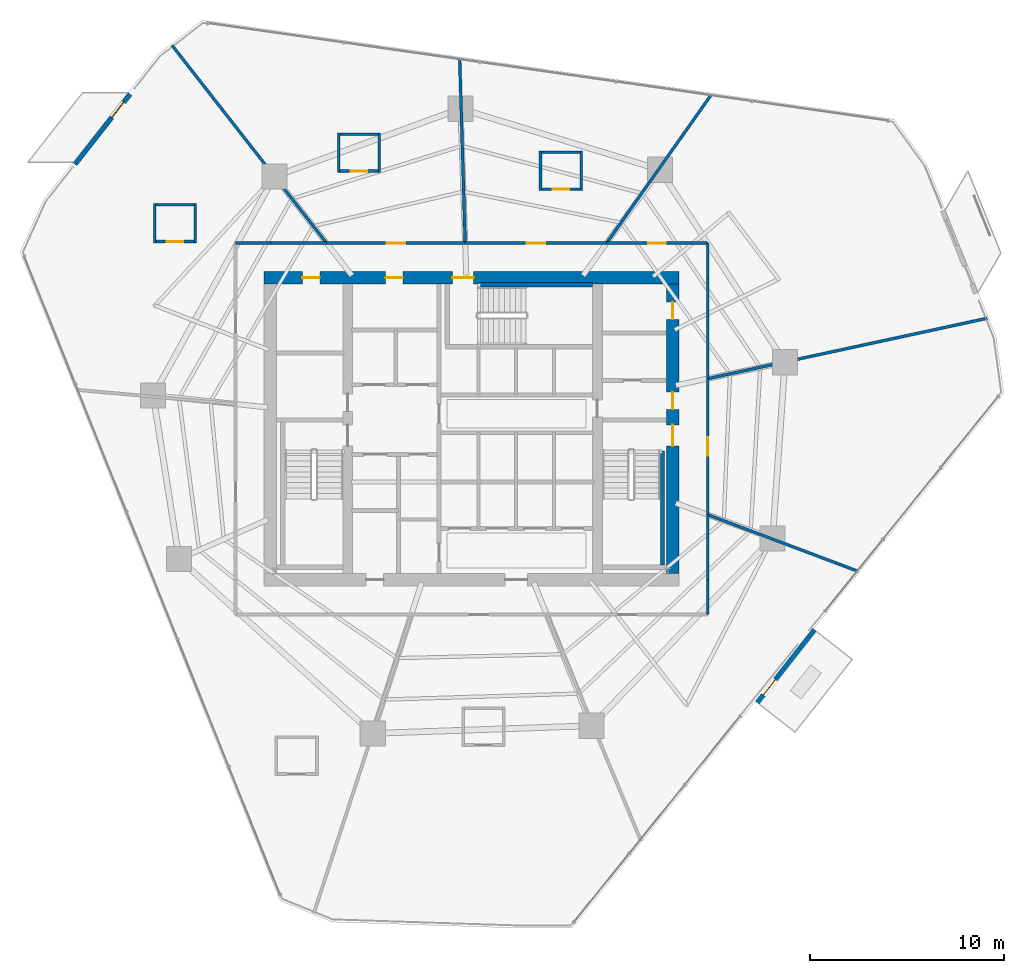
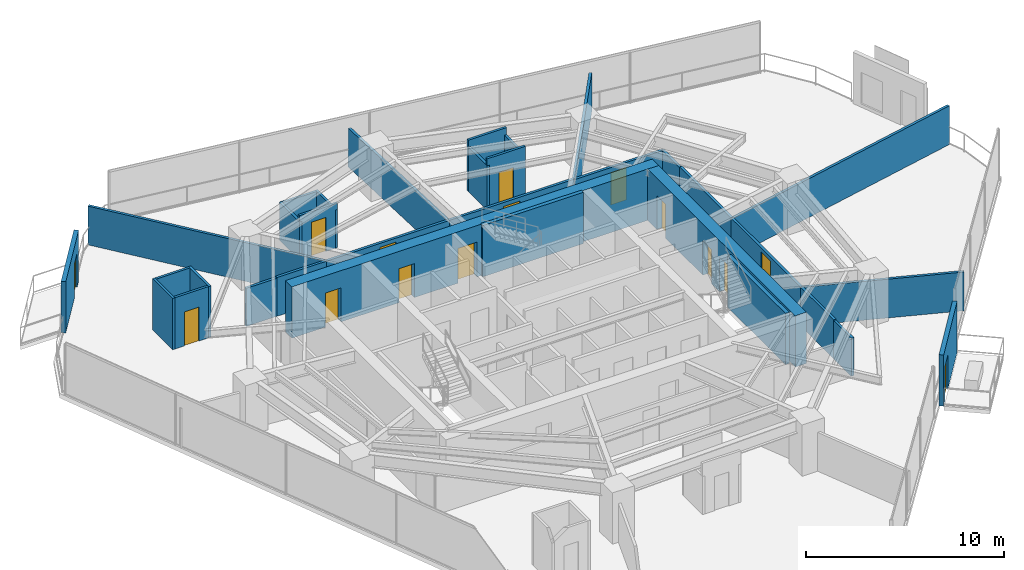
# One storey, part 27 of 32: 33 walls, 15 doors, 15 openings.
"""IFC4 building model written with IfcOpenShell, lengths in metres."""

from ifc_helpers import new_model, si_unit, direction, frame, frame_2d, origin, place, context, subcontext, project, spatial, rectangle, extrude, material, layer, layer_set, type_object, element, fill, save


model = new_model("IFC4")

# Units and contexts
model_context = context("Model", 3, precision=1e-05, world=origin(), true_north=direction((0.0, 1.0)))
body_context = subcontext(model_context, "Body", "Model", "MODEL_VIEW")
ifc_project = project(units=[si_unit("LENGTHUNIT", "METRE"), si_unit("AREAUNIT", "SQUARE_METRE"), si_unit("VOLUMEUNIT", "CUBIC_METRE"), si_unit("PLANEANGLEUNIT", "RADIAN"), si_unit("MASSUNIT", "GRAM", prefix="KILO")], contexts=[model_context])

# Site, building, storey
site_placement = place(None, origin())
site = spatial("IfcSite", under=ifc_project, at=site_placement, CompositionType="ELEMENT")
building_placement = place(site_placement, origin())
building = spatial("IfcBuilding", under=site, at=building_placement, Name="Qarnah Convention Tower", CompositionType="ELEMENT")
storey_placement = place(building_placement, frame((0.0, 0.0, 37.35009765625)))
storey = spatial("IfcBuildingStorey", under=building, at=storey_placement, Name="L08", CompositionType="ELEMENT", Elevation=37.35009765625)

# Wall, openings, doors
ifc_material_1 = material(Name="Concrete C60/75", Category="concrete")
ifc_layer_1 = layer(ifc_material_1, 0.64990234375)
ifc_layer_set_1 = layer_set([ifc_layer_1], Name="Concrete C60/75")
wall_type_1 = type_object("IfcWallType", Name="WL-CORE-650", PredefinedType="SHEAR", material=ifc_layer_set_1)
wall_1_placement = place(storey_placement, frame((26.47509765625, 34.199951171875, 0.0), z_axis=(0.0, 0.0, 1.0), x_axis=(1.0, 0.0, 0.0)))
wall_1 = element("IfcWall", 1, at=wall_1_placement, inside=storey, type_object=wall_type_1, Name="L08 core north shear wall", PredefinedType="SHEAR", context=body_context, shape_type="SweptSolid", body=[
    extrude(rectangle(XDim=21.449951171875, YDim=0.64990234375, at=frame_2d((10.72509765625, 0.0))), origin(), (0.0, 0.0, 1.0), 3.169921875),
])
opening_1_placement = place(wall_1_placement, frame((9.72509765625, 0.0, 0.0)))
opening_1 = element("IfcOpeningElement", 2, at=opening_1_placement, cuts=wall_1, Name="Opening D-0803", PredefinedType="OPENING", context=body_context, shape_type="SweptSolid", body=[
    extrude(rectangle(XDim=1.10009765625, YDim=2.14990234375, at=frame_2d((0.550048828125, 1.074951171875))), frame((0.0, 0.3349609375, 0.0), z_axis=(0.0, -1.0, 0.0), x_axis=(1.0, 0.0, 0.0)), (0.0, 0.0, 1.0), 0.669921875),
])
opening_2_placement = place(wall_1_placement, frame((1.97509765625, 0.0, 0.0)))
opening_2 = element("IfcOpeningElement", 3, at=opening_2_placement, cuts=wall_1, Name="Opening D-0809", PredefinedType="OPENING", context=body_context, shape_type="SweptSolid", body=[
    extrude(rectangle(XDim=0.89990234375, YDim=2.10009765625, at=frame_2d((0.449951171875, 1.050048828125))), frame((0.0, 0.3349609375, 0.0), z_axis=(0.0, -1.0, 0.0), x_axis=(1.0, 0.0, 0.0)), (0.0, 0.0, 1.0), 0.669921875),
])
opening_3_placement = place(wall_1_placement, frame((6.27490234375, 0.0, 0.0)))
opening_3 = element("IfcOpeningElement", 4, at=opening_3_placement, cuts=wall_1, Name="Opening D-0810", PredefinedType="OPENING", context=body_context, shape_type="SweptSolid", body=[
    extrude(rectangle(XDim=0.89990234375, YDim=2.10009765625, at=frame_2d((0.449951171875, 1.050048828125))), frame((0.0, 0.3349609375, 0.0), z_axis=(0.0, -1.0, 0.0), x_axis=(1.0, 0.0, 0.0)), (0.0, 0.0, 1.0), 0.669921875),
])
ifc_material_2 = material(Name="Structural steel S355JR", Category="steel")
door_type_1 = type_object("IfcDoorType", Name="DT-RISER-900", OperationType="NOTDEFINED", PredefinedType="DOOR", material=ifc_material_2)
door_1_placement = place(opening_2_placement, origin())
door_1 = element("IfcDoor", 5, at=door_1_placement, inside=storey, type_object=door_type_1, Name="Door D-0809", OperationType="SINGLE_SWING_LEFT", OverallHeight=2.10009765625, OverallWidth=0.89990234375, PredefinedType="DOOR", context=body_context, shape_type="SweptSolid", body=[
    extrude(rectangle(XDim=0.89990234375, YDim=2.10009765625, at=frame_2d((0.449951171875, 1.050048828125))), frame((0.0, 0.02490234375, 0.0), z_axis=(0.0, -1.0, 0.0), x_axis=(1.0, 0.0, 0.0)), (0.0, 0.0, 1.0), 0.050048828125),
])
fill(opening_2, door_1)
door_2_placement = place(opening_3_placement, origin())
door_2 = element("IfcDoor", 6, at=door_2_placement, inside=storey, type_object=door_type_1, Name="Door D-0810", OperationType="SINGLE_SWING_RIGHT", OverallHeight=2.10009765625, OverallWidth=0.89990234375, PredefinedType="DOOR", context=body_context, shape_type="SweptSolid", body=[
    extrude(rectangle(XDim=0.89990234375, YDim=2.10009765625, at=frame_2d((0.449951171875, 1.050048828125))), frame((0.0, 0.02490234375, 0.0), z_axis=(0.0, -1.0, 0.0), x_axis=(1.0, 0.0, 0.0)), (0.0, 0.0, 1.0), 0.050048828125),
])
fill(opening_3, door_2)
door_type_2 = type_object("IfcDoorType", Name="DT-STAIR-1100", OperationType="NOTDEFINED", PredefinedType="DOOR", material=ifc_material_2)
door_3_placement = place(opening_1_placement, origin())
door_3 = element("IfcDoor", 7, at=door_3_placement, inside=storey, type_object=door_type_2, Name="Door D-0803", OperationType="SINGLE_SWING_LEFT", OverallHeight=2.14990234375, OverallWidth=1.10009765625, PredefinedType="DOOR", context=body_context, shape_type="SweptSolid", body=[
    extrude(rectangle(XDim=1.10009765625, YDim=2.14990234375, at=frame_2d((0.550048828125, 1.074951171875))), frame((0.0, 0.02490234375, 0.0), z_axis=(0.0, -1.0, 0.0), x_axis=(1.0, 0.0, 0.0)), (0.0, 0.0, 1.0), 0.050048828125),
])
fill(opening_1, door_3)

wall_2_placement = place(storey_placement, frame((47.60009765625, 18.925048828125, 0.0), z_axis=(0.0, 0.0, 1.0), x_axis=(0.0, 1.0, 0.0)))
wall_2 = element("IfcWall", 8, at=wall_2_placement, inside=storey, type_object=wall_type_1, Name="L08 core east shear wall", PredefinedType="SHEAR", context=body_context, shape_type="SweptSolid", body=[
    extrude(rectangle(XDim=14.949951171875, YDim=0.64990234375, at=frame_2d((7.47509765625, 0.0))), origin(), (0.0, 0.0, 1.0), 3.169921875),
])
opening_4_placement = place(wall_2_placement, frame((6.574951171875, 0.0, 0.0)))
opening_4 = element("IfcOpeningElement", 9, at=opening_4_placement, cuts=wall_2, Name="Opening D-0802", PredefinedType="OPENING", context=body_context, shape_type="SweptSolid", body=[
    extrude(rectangle(XDim=1.10009765625, YDim=2.14990234375, at=frame_2d((0.550048828125, 1.074951171875))), frame((0.0, 0.3349609375, 0.0), z_axis=(0.0, -1.0, 0.0), x_axis=(1.0, 0.0, 0.0)), (0.0, 0.0, 1.0), 0.669921875),
])
opening_5_placement = place(wall_2_placement, frame((8.47509765625, 0.0, 0.0)))
opening_5 = element("IfcOpeningElement", 10, at=opening_5_placement, cuts=wall_2, Name="Opening D-0806", PredefinedType="OPENING", context=body_context, shape_type="SweptSolid", body=[
    extrude(rectangle(XDim=0.89990234375, YDim=2.10009765625, at=frame_2d((0.449951171875, 1.050048828125))), frame((0.0, 0.3349609375, 0.0), z_axis=(0.0, -1.0, 0.0), x_axis=(1.0, 0.0, 0.0)), (0.0, 0.0, 1.0), 0.669921875),
])
opening_6_placement = place(wall_2_placement, frame((13.125, 0.0, 0.0)))
opening_6 = element("IfcOpeningElement", 11, at=opening_6_placement, cuts=wall_2, Name="Opening D-0812", PredefinedType="OPENING", context=body_context, shape_type="SweptSolid", body=[
    extrude(rectangle(XDim=0.89990234375, YDim=2.10009765625, at=frame_2d((0.449951171875, 1.050048828125))), frame((0.0, 0.3349609375, 0.0), z_axis=(0.0, -1.0, 0.0), x_axis=(1.0, 0.0, 0.0)), (0.0, 0.0, 1.0), 0.669921875),
])
door_4_placement = place(opening_5_placement, origin())
door_4 = element("IfcDoor", 12, at=door_4_placement, inside=storey, type_object=door_type_1, Name="Door D-0806", OperationType="SINGLE_SWING_RIGHT", OverallHeight=2.10009765625, OverallWidth=0.89990234375, PredefinedType="DOOR", context=body_context, shape_type="SweptSolid", body=[
    extrude(rectangle(XDim=0.89990234375, YDim=2.10009765625, at=frame_2d((0.449951171875, 1.050048828125))), frame((0.0, 0.02490234375, 0.0), z_axis=(0.0, -1.0, 0.0), x_axis=(1.0, 0.0, 0.0)), (0.0, 0.0, 1.0), 0.050048828125),
])
fill(opening_5, door_4)
door_5_placement = place(opening_6_placement, origin())
door_5 = element("IfcDoor", 13, at=door_5_placement, inside=storey, type_object=door_type_1, Name="Door D-0812", OperationType="SINGLE_SWING_RIGHT", OverallHeight=2.10009765625, OverallWidth=0.89990234375, PredefinedType="DOOR", context=body_context, shape_type="SweptSolid", body=[
    extrude(rectangle(XDim=0.89990234375, YDim=2.10009765625, at=frame_2d((0.449951171875, 1.050048828125))), frame((0.0, 0.02490234375, 0.0), z_axis=(0.0, -1.0, 0.0), x_axis=(1.0, 0.0, 0.0)), (0.0, 0.0, 1.0), 0.050048828125),
])
fill(opening_6, door_5)
door_6_placement = place(opening_4_placement, origin())
door_6 = element("IfcDoor", 14, at=door_6_placement, inside=storey, type_object=door_type_2, Name="Door D-0802", OperationType="SINGLE_SWING_RIGHT", OverallHeight=2.14990234375, OverallWidth=1.10009765625, PredefinedType="DOOR", context=body_context, shape_type="SweptSolid", body=[
    extrude(rectangle(XDim=1.10009765625, YDim=2.14990234375, at=frame_2d((0.550048828125, 1.074951171875))), frame((0.0, 0.02490234375, 0.0), z_axis=(0.0, -1.0, 0.0), x_axis=(1.0, 0.0, 0.0)), (0.0, 0.0, 1.0), 0.050048828125),
])
fill(opening_4, door_6)

# Walls
ifc_layer_2 = layer(ifc_material_1, 0.219970703125)
ifc_layer_set_2 = layer_set([ifc_layer_2], Name="Concrete C60/75")
wall_type_2 = type_object("IfcWallType", Name="WL-CORE-STAIR-220", PredefinedType="SHEAR", material=ifc_layer_set_2)
for number, where, z_axis, x_axis, name in (
    (15, (47.06005859375, 19.35009765625, 0.0), (0.0, 0.0, 1.0), (0.0, 1.0, 0.0), "L08 stair shaft shear wall SW-L08-ST2E"),
    (16, (37.550048828125, 33.840087890625, 0.0), (0.0, 0.0, 1.0), (1.0, 0.0, 0.0), "L08 stair shaft shear wall SW-L08-ST3N"),
):
    element("IfcWall", number, at=place(storey_placement, frame(where, z_axis=z_axis, x_axis=x_axis)), inside=storey, type_object=wall_type_2, Name=name, PredefinedType="SHEAR", context=body_context, shape_type="SweptSolid", body=[
        extrude(rectangle(XDim=5.89990234375, YDim=0.219970703125, at=frame_2d((2.949951171875, 0.0))), origin(), (0.0, 0.0, 1.0), 3.169921875),
    ])

# Wall, opening, door
ifc_material_3 = material(Name="Precast concrete C45/55", Category="concrete")
ifc_layer_3 = layer(ifc_material_3, 0.239990234375)
ifc_layer_set_3 = layer_set([ifc_layer_3], Name="Precast concrete C45/55")
wall_type_3 = type_object("IfcWallType", Name="WL-EXT-BAL-240", PredefinedType="SOLIDWALL", material=ifc_layer_set_3)
wall_3_placement = place(storey_placement, frame((16.705078125, 40.072021484375, 0.0), z_axis=(0.0, 0.0, 1.0), x_axis=(0.617842647649, 0.786301763158, 0.0)))
wall_3 = element("IfcWall", 17, at=wall_3_placement, inside=storey, type_object=wall_type_3, Name="L08 loggia threshold wall BAL-L08-C2", PredefinedType="SOLIDWALL", context=body_context, shape_type="SweptSolid", body=[
    extrude(rectangle(XDim=4.599853515625, YDim=0.239990234375, at=frame_2d((2.2998046875, 0.0))), origin(), (0.0, 0.0, 1.0), 3.169921875),
])
opening_7_placement = place(wall_3_placement, frame((3.080078125, 0.0, 0.0)))
opening_7 = element("IfcOpeningElement", 18, at=opening_7_placement, cuts=wall_3, Name="Opening BD-0802", PredefinedType="OPENING", context=body_context, shape_type="SweptSolid", body=[
    extrude(rectangle(XDim=1.0, YDim=2.14990234375, at=frame_2d((0.5, 1.074951171875))), frame((0.0, 0.1298828125, 0.0), z_axis=(0.0, -1.0, 0.0), x_axis=(1.0, 0.0, 0.0)), (0.0, 0.0, 1.0), 0.260009765625),
])
ifc_material_4 = material(Name="Black anodised aluminium", Category="aluminium")
door_type_3 = type_object("IfcDoorType", Name="DT-BAL-1000", OperationType="NOTDEFINED", PredefinedType="DOOR", material=ifc_material_4)
door_7_placement = place(opening_7_placement, origin())
door_7 = element("IfcDoor", 19, at=door_7_placement, inside=storey, type_object=door_type_3, Name="L08 balcony terrace door BAL-L08-C2", OperationType="SINGLE_SWING_LEFT", OverallHeight=2.14990234375, OverallWidth=1.0, PredefinedType="DOOR", context=body_context, shape_type="SweptSolid", body=[
    extrude(rectangle(XDim=1.0, YDim=2.14990234375, at=frame_2d((0.5, 1.074951171875))), frame((0.0, 0.02490234375, 0.0), z_axis=(0.0, -1.0, 0.0), x_axis=(1.0, 0.0, 0.0)), (0.0, 0.0, 1.0), 0.050048828125),
])
fill(opening_7, door_7)

wall_4_placement = place(storey_placement, frame((54.922119140625, 16.01904296875, 0.0), z_axis=(0.0, 0.0, 1.0), x_axis=(-0.617803579139, -0.78633245997, 0.0)))
wall_4 = element("IfcWall", 20, at=wall_4_placement, inside=storey, type_object=wall_type_3, Name="L08 loggia threshold wall VN-L08", PredefinedType="SOLIDWALL", context=body_context, shape_type="SweptSolid", body=[
    extrude(rectangle(XDim=4.79931640625, YDim=0.239990234375, at=frame_2d((2.399658203125, 0.0))), origin(), (0.0, 0.0, 1.0), 3.169921875),
])
opening_8_placement = place(wall_4_placement, frame((3.279052734375, 0.0, 0.0)))
opening_8 = element("IfcOpeningElement", 21, at=opening_8_placement, cuts=wall_4, Name="Opening BD-0803", PredefinedType="OPENING", context=body_context, shape_type="SweptSolid", body=[
    extrude(rectangle(XDim=1.0, YDim=2.14990234375, at=frame_2d((0.5, 1.074951171875))), frame((0.0, 0.1298828125, 0.0), z_axis=(0.0, -1.0, 0.0), x_axis=(1.0, 0.0, 0.0)), (0.0, 0.0, 1.0), 0.260009765625),
])
door_8_placement = place(opening_8_placement, origin())
door_8 = element("IfcDoor", 22, at=door_8_placement, inside=storey, type_object=door_type_3, Name="L08 balcony terrace door VN-L08", OperationType="SINGLE_SWING_RIGHT", OverallHeight=2.14990234375, OverallWidth=1.0, PredefinedType="DOOR", context=body_context, shape_type="SweptSolid", body=[
    extrude(rectangle(XDim=1.0, YDim=2.14990234375, at=frame_2d((0.5, 1.074951171875))), frame((0.0, 0.02490234375, 0.0), z_axis=(0.0, -1.0, 0.0), x_axis=(1.0, 0.0, 0.0)), (0.0, 0.0, 1.0), 0.050048828125),
])
fill(opening_8, door_8)

# Wall
ifc_material_5 = material(Name="Gypsum partition board")
ifc_layer_4 = layer(ifc_material_5, 0.14990234375)
ifc_layer_set_4 = layer_set([ifc_layer_4], Name="Gypsum partition board")
wall_type_4 = type_object("IfcWallType", Name="WL-SUITE-150", PredefinedType="PARTITIONING", material=ifc_layer_set_4)
wall_5_placement = place(storey_placement, frame((49.593994140625, 43.680908203125, 0.0), z_axis=(0.0, 0.0, 1.0), x_axis=(-0.576479240775, -0.817111794649, 0.0)))
element("IfcWall", 23, at=wall_5_placement, inside=storey, type_object=wall_type_4, Name="L08 interior wall IW-L08-R-21", PredefinedType="PARTITIONING", context=body_context, shape_type="SweptSolid", body=[
    extrude(rectangle(XDim=9.400146484375, YDim=0.14990234375, at=frame_2d((4.7001953125, 0.0))), origin(), (0.0, 0.0, 1.0), 2.39501953125),
])

# Wall, opening, door
wall_6_placement = place(storey_placement, frame((44.175048828125, 36.0, 0.0), z_axis=(0.0, 0.0, 1.0), x_axis=(1.0, 0.0, 0.0)))
wall_6 = element("IfcWall", 24, at=wall_6_placement, inside=storey, type_object=wall_type_4, Name="L08 interior wall IW-L08-R-22", PredefinedType="PARTITIONING", context=body_context, shape_type="SweptSolid", body=[
    extrude(rectangle(XDim=5.224853515625, YDim=0.14990234375, at=frame_2d((2.6123046875, 0.0))), origin(), (0.0, 0.0, 1.0), 2.35498046875),
])
opening_9_placement = place(wall_6_placement, frame((2.1630859375, 0.0, 0.0)))
opening_9 = element("IfcOpeningElement", 25, at=opening_9_placement, cuts=wall_6, Name="Opening D-0816", PredefinedType="OPENING", context=body_context, shape_type="SweptSolid", body=[
    extrude(rectangle(XDim=0.89990234375, YDim=2.0, at=frame_2d((0.449951171875, 1.0))), frame((0.0, 0.0849609375, 0.0), z_axis=(0.0, -1.0, 0.0), x_axis=(1.0, 0.0, 0.0)), (0.0, 0.0, 1.0), 0.169921875),
])
door_type_4 = type_object("IfcDoorType", Name="DT-PLANT-900", OperationType="NOTDEFINED", PredefinedType="DOOR", material=ifc_material_2)
door_9_placement = place(opening_9_placement, origin())
door_9 = element("IfcDoor", 26, at=door_9_placement, inside=storey, type_object=door_type_4, Name="Door D-0816", OperationType="SINGLE_SWING_RIGHT", OverallHeight=2.0, OverallWidth=0.89990234375, PredefinedType="DOOR", context=body_context, shape_type="SweptSolid", body=[
    extrude(rectangle(XDim=0.89990234375, YDim=2.0, at=frame_2d((0.449951171875, 1.0))), frame((0.0, 0.02490234375, 0.0), z_axis=(0.0, -1.0, 0.0), x_axis=(1.0, 0.0, 0.0)), (0.0, 0.0, 1.0), 0.050048828125),
])
fill(opening_9, door_9)

# Walls
wall_7_placement = place(storey_placement, frame((49.39990234375, 36.0, 0.0), z_axis=(0.0, 0.0, 1.0), x_axis=(0.0, -1.0, 0.0)))
element("IfcWall", 27, at=wall_7_placement, inside=storey, type_object=wall_type_4, Name="L08 interior wall IW-L08-R-23", PredefinedType="PARTITIONING", context=body_context, shape_type="SweptSolid", body=[
    extrude(rectangle(XDim=1.800048828125, YDim=0.14990234375, at=frame_2d((0.89990234375, 0.0))), origin(), (0.0, 0.0, 1.0), 2.35498046875),
])
wall_8_placement = place(storey_placement, frame((49.39990234375, 34.199951171875, 0.0), z_axis=(0.0, 0.0, 1.0), x_axis=(0.0, -1.0, 0.0)))
element("IfcWall", 28, at=wall_8_placement, inside=storey, type_object=wall_type_4, Name="L08 interior wall IW-L08-R-24", PredefinedType="PARTITIONING", context=body_context, shape_type="SweptSolid", body=[
    extrude(rectangle(XDim=5.20703125, YDim=0.14990234375, at=frame_2d((2.603515625, 0.0))), origin(), (0.0, 0.0, 1.0), 2.39501953125),
])
wall_9_placement = place(storey_placement, frame((49.39990234375, 28.992919921875, 0.0), z_axis=(0.0, 0.0, 1.0), x_axis=(0.977465823559, 0.211093732201, 0.0)))
element("IfcWall", 29, at=wall_9_placement, inside=storey, type_object=wall_type_4, Name="L08 interior wall IW-L08-R-25", PredefinedType="PARTITIONING", context=body_context, shape_type="SweptSolid", body=[
    extrude(rectangle(XDim=14.766845703125, YDim=0.14990234375, at=frame_2d((7.38330078125, 0.0))), origin(), (0.0, 0.0, 1.0), 2.39501953125),
])
wall_10_placement = place(storey_placement, frame((36.5810546875, 45.5390625, 0.0), z_axis=(0.0, 0.0, 1.0), x_axis=(0.029752383797, -0.999557299837, 0.0)))
element("IfcWall", 30, at=wall_10_placement, inside=storey, type_object=wall_type_4, Name="L08 interior wall IW-L08-R-26", PredefinedType="PARTITIONING", context=body_context, shape_type="SweptSolid", body=[
    extrude(rectangle(XDim=9.543212890625, YDim=0.14990234375, at=frame_2d((4.771484375, 0.0))), origin(), (0.0, 0.0, 1.0), 2.39501953125),
])

# Wall, opening, door
wall_11_placement = place(storey_placement, frame((36.864990234375, 36.0, 0.0), z_axis=(0.0, 0.0, 1.0), x_axis=(1.0, 0.0, 0.0)))
wall_11 = element("IfcWall", 31, at=wall_11_placement, inside=storey, type_object=wall_type_4, Name="L08 interior wall IW-L08-R-27", PredefinedType="PARTITIONING", context=body_context, shape_type="SweptSolid", body=[
    extrude(rectangle(XDim=7.31005859375, YDim=0.14990234375, at=frame_2d((3.655029296875, 0.0))), origin(), (0.0, 0.0, 1.0), 2.39501953125),
])
opening_10_placement = place(wall_11_placement, frame((3.179931640625, 0.0, 0.0)))
opening_10 = element("IfcOpeningElement", 32, at=opening_10_placement, cuts=wall_11, Name="Opening D-0817", PredefinedType="OPENING", context=body_context, shape_type="SweptSolid", body=[
    extrude(rectangle(XDim=0.949951171875, YDim=2.14990234375, at=frame_2d((0.47509765625, 1.074951171875))), frame((0.0, 0.0849609375, 0.0), z_axis=(0.0, -1.0, 0.0), x_axis=(1.0, 0.0, 0.0)), (0.0, 0.0, 1.0), 0.169921875),
])
ifc_material_6 = material(Name="Oak timber veneer", Category="wood")
door_type_5 = type_object("IfcDoorType", Name="DT-HOTEL-950", OperationType="NOTDEFINED", PredefinedType="DOOR", material=ifc_material_6)
door_10_placement = place(opening_10_placement, origin())
door_10 = element("IfcDoor", 33, at=door_10_placement, inside=storey, type_object=door_type_5, Name="Door D-0817", OperationType="SINGLE_SWING_LEFT", OverallHeight=2.14990234375, OverallWidth=0.949951171875, PredefinedType="DOOR", context=body_context, shape_type="SweptSolid", body=[
    extrude(rectangle(XDim=0.949951171875, YDim=2.14990234375, at=frame_2d((0.47509765625, 1.074951171875))), frame((0.0, 0.02490234375, 0.0), z_axis=(0.0, -1.0, 0.0), x_axis=(1.0, 0.0, 0.0)), (0.0, 0.0, 1.0), 0.050048828125),
])
fill(opening_10, door_10)

# Wall
wall_12_placement = place(storey_placement, frame((21.720947265625, 46.212890625, 0.0), z_axis=(0.0, 0.0, 1.0), x_axis=(0.615652815332, -0.788017519459, 0.0)))
element("IfcWall", 34, at=wall_12_placement, inside=storey, type_object=wall_type_4, Name="L08 interior wall IW-L08-R-28", PredefinedType="PARTITIONING", context=body_context, shape_type="SweptSolid", body=[
    extrude(rectangle(XDim=12.960205078125, YDim=0.14990234375, at=frame_2d((6.47998046875, 0.0))), origin(), (0.0, 0.0, 1.0), 2.39501953125),
])

# Wall, opening, door
wall_13_placement = place(storey_placement, frame((29.699951171875, 36.0, 0.0), z_axis=(0.0, 0.0, 1.0), x_axis=(1.0, 0.0, 0.0)))
wall_13 = element("IfcWall", 35, at=wall_13_placement, inside=storey, type_object=wall_type_4, Name="L08 interior wall IW-L08-R-29", PredefinedType="PARTITIONING", context=body_context, shape_type="SweptSolid", body=[
    extrude(rectangle(XDim=7.1650390625, YDim=0.14990234375, at=frame_2d((3.58251953125, 0.0))), origin(), (0.0, 0.0, 1.0), 2.39501953125),
])
opening_11_placement = place(wall_13_placement, frame((3.10791015625, 0.0, 0.0)))
opening_11 = element("IfcOpeningElement", 36, at=opening_11_placement, cuts=wall_13, Name="Opening D-0819", PredefinedType="OPENING", context=body_context, shape_type="SweptSolid", body=[
    extrude(rectangle(XDim=0.949951171875, YDim=2.14990234375, at=frame_2d((0.47509765625, 1.074951171875))), frame((0.0, 0.0849609375, 0.0), z_axis=(0.0, -1.0, 0.0), x_axis=(1.0, 0.0, 0.0)), (0.0, 0.0, 1.0), 0.169921875),
])
door_11_placement = place(opening_11_placement, origin())
door_11 = element("IfcDoor", 37, at=door_11_placement, inside=storey, type_object=door_type_5, Name="Door D-0819", OperationType="SINGLE_SWING_LEFT", OverallHeight=2.14990234375, OverallWidth=0.949951171875, PredefinedType="DOOR", context=body_context, shape_type="SweptSolid", body=[
    extrude(rectangle(XDim=0.949951171875, YDim=2.14990234375, at=frame_2d((0.47509765625, 1.074951171875))), frame((0.0, 0.02490234375, 0.0), z_axis=(0.0, -1.0, 0.0), x_axis=(1.0, 0.0, 0.0)), (0.0, 0.0, 1.0), 0.050048828125),
])
fill(opening_11, door_11)

# Walls
wall_14_placement = place(storey_placement, frame((25.0, 36.0, 0.0), z_axis=(0.0, 0.0, 1.0), x_axis=(1.0, 0.0, 0.0)))
element("IfcWall", 38, at=wall_14_placement, inside=storey, type_object=wall_type_4, Name="L08 interior wall IW-L08-R-32", PredefinedType="PARTITIONING", context=body_context, shape_type="SweptSolid", body=[
    extrude(rectangle(XDim=1.800048828125, YDim=0.14990234375, at=frame_2d((0.89990234375, 0.0))), origin(), (0.0, 0.0, 1.0), 2.35498046875),
])
wall_15_placement = place(storey_placement, frame((26.800048828125, 36.0, 0.0), z_axis=(0.0, 0.0, 1.0), x_axis=(1.0, 0.0, 0.0)))
element("IfcWall", 39, at=wall_15_placement, inside=storey, type_object=wall_type_4, Name="L08 interior wall IW-L08-R-33", PredefinedType="PARTITIONING", context=body_context, shape_type="SweptSolid", body=[
    extrude(rectangle(XDim=2.89990234375, YDim=0.14990234375, at=frame_2d((1.449951171875, 0.0))), origin(), (0.0, 0.0, 1.0), 2.39501953125),
])
wall_16_placement = place(storey_placement, frame((57.175048828125, 19.033935546875, 0.0), z_axis=(0.0, 0.0, 1.0), x_axis=(-0.935919122146, 0.352214986621, 0.0)))
element("IfcWall", 40, at=wall_16_placement, inside=storey, type_object=wall_type_4, Name="L08 interior wall IW-L08-R-40", PredefinedType="PARTITIONING", context=body_context, shape_type="SweptSolid", body=[
    extrude(rectangle(XDim=8.3076171875, YDim=0.14990234375, at=frame_2d((4.15380859375, 0.0))), origin(), (0.0, 0.0, 1.0), 2.39501953125),
])
wall_17_placement = place(storey_placement, frame((49.39990234375, 21.9599609375, 0.0), z_axis=(0.0, 0.0, 1.0), x_axis=(0.0, -1.0, 0.0)))
element("IfcWall", 41, at=wall_17_placement, inside=storey, type_object=wall_type_4, Name="L08 interior wall IW-L08-R-41", PredefinedType="PARTITIONING", context=body_context, shape_type="SweptSolid", body=[
    extrude(rectangle(XDim=3.35986328125, YDim=0.14990234375, at=frame_2d((1.679931640625, 0.0))), origin(), (0.0, 0.0, 1.0), 2.39501953125),
])
wall_18_placement = place(storey_placement, frame((49.39990234375, 18.60009765625, 0.0), z_axis=(0.0, 0.0, 1.0), x_axis=(0.0, -1.0, 0.0)))
element("IfcWall", 42, at=wall_18_placement, inside=storey, type_object=wall_type_4, Name="L08 interior wall IW-L08-R-42", PredefinedType="PARTITIONING", context=body_context, shape_type="SweptSolid", body=[
    extrude(rectangle(XDim=1.800048828125, YDim=0.14990234375, at=frame_2d((0.89990234375, 0.0))), origin(), (0.0, 0.0, 1.0), 2.35498046875),
])

# Wall, opening, door
wall_19_placement = place(storey_placement, frame((49.39990234375, 28.992919921875, 0.0), z_axis=(0.0, 0.0, 1.0), x_axis=(0.0, -1.0, 0.0)))
wall_19 = element("IfcWall", 43, at=wall_19_placement, inside=storey, type_object=wall_type_4, Name="L08 interior wall IW-L08-R-44", PredefinedType="PARTITIONING", context=body_context, shape_type="SweptSolid", body=[
    extrude(rectangle(XDim=7.032958984375, YDim=0.14990234375, at=frame_2d((3.5166015625, 0.0))), origin(), (0.0, 0.0, 1.0), 2.39501953125),
])
opening_12_placement = place(wall_19_placement, frame((3.041015625, 0.0, 0.0)))
opening_12 = element("IfcOpeningElement", 44, at=opening_12_placement, cuts=wall_19, Name="Opening D-0828", PredefinedType="OPENING", context=body_context, shape_type="SweptSolid", body=[
    extrude(rectangle(XDim=0.949951171875, YDim=2.14990234375, at=frame_2d((0.47509765625, 1.074951171875))), frame((0.0, 0.0849609375, 0.0), z_axis=(0.0, -1.0, 0.0), x_axis=(1.0, 0.0, 0.0)), (0.0, 0.0, 1.0), 0.169921875),
])
door_12_placement = place(opening_12_placement, origin())
door_12 = element("IfcDoor", 45, at=door_12_placement, inside=storey, type_object=door_type_5, Name="Door D-0828", OperationType="SINGLE_SWING_RIGHT", OverallHeight=2.14990234375, OverallWidth=0.949951171875, PredefinedType="DOOR", context=body_context, shape_type="SweptSolid", body=[
    extrude(rectangle(XDim=0.949951171875, YDim=2.14990234375, at=frame_2d((0.47509765625, 1.074951171875))), frame((0.0, 0.02490234375, 0.0), z_axis=(0.0, -1.0, 0.0), x_axis=(1.0, 0.0, 0.0)), (0.0, 0.0, 1.0), 0.050048828125),
])
fill(opening_12, door_12)

ifc_layer_5 = layer(ifc_material_5, 0.139892578125)
ifc_layer_set_5 = layer_set([ifc_layer_5], Name="Gypsum partition board")
wall_type_5 = type_object("IfcWallType", Name="WL-WET-140", PredefinedType="PARTITIONING", material=ifc_layer_set_5)
wall_20_placement = place(storey_placement, frame((40.69091796875, 38.784912109375, 0.0), z_axis=(0.0, 0.0, 1.0), x_axis=(1.0, 0.0, 0.0)))
wall_20 = element("IfcWall", 46, at=wall_20_placement, inside=storey, type_object=wall_type_5, Name="L08 interior wall IW-L08-ENS01-1", PredefinedType="PARTITIONING", context=body_context, shape_type="SweptSolid", body=[
    extrude(rectangle(XDim=2.239990234375, YDim=0.139892578125, at=frame_2d((1.1201171875, 0.0))), origin(), (0.0, 0.0, 1.0), 3.169921875),
])
opening_13_placement = place(wall_20_placement, frame((0.695068359375, 0.0, 0.0)))
opening_13 = element("IfcOpeningElement", 47, at=opening_13_placement, cuts=wall_20, Name="Opening D-0818", PredefinedType="OPENING", context=body_context, shape_type="SweptSolid", body=[
    extrude(rectangle(XDim=0.85009765625, YDim=2.10009765625, at=frame_2d((0.425048828125, 1.050048828125))), frame((0.0, 0.079833984375, 0.0), z_axis=(0.0, -1.0, 0.0), x_axis=(1.0, 0.0, 0.0)), (0.0, 0.0, 1.0), 0.159912109375),
])
door_type_6 = type_object("IfcDoorType", Name="DT-BATH-850", OperationType="NOTDEFINED", PredefinedType="DOOR", material=ifc_material_6)
door_13_placement = place(opening_13_placement, origin())
door_13 = element("IfcDoor", 48, at=door_13_placement, inside=storey, type_object=door_type_6, Name="Door D-0818", OperationType="SINGLE_SWING_RIGHT", OverallHeight=2.10009765625, OverallWidth=0.85009765625, PredefinedType="DOOR", context=body_context, shape_type="SweptSolid", body=[
    extrude(rectangle(XDim=0.85009765625, YDim=2.10009765625, at=frame_2d((0.425048828125, 1.050048828125))), frame((0.0, 0.02490234375, 0.0), z_axis=(0.0, -1.0, 0.0), x_axis=(1.0, 0.0, 0.0)), (0.0, 0.0, 1.0), 0.050048828125),
])
fill(opening_13, door_13)

# Walls
wall_21_placement = place(storey_placement, frame((42.861083984375, 38.715087890625, 0.0), z_axis=(0.0, 0.0, 1.0), x_axis=(0.0, 1.0, 0.0)))
element("IfcWall", 49, at=wall_21_placement, inside=storey, type_object=wall_type_5, Name="L08 interior wall IW-L08-ENS01-2", PredefinedType="PARTITIONING", context=body_context, shape_type="SweptSolid", body=[
    extrude(rectangle(XDim=2.039794921875, YDim=0.139892578125, at=frame_2d((1.02001953125, 0.0))), origin(), (0.0, 0.0, 1.0), 2.746826171875),
])
wall_22_placement = place(storey_placement, frame((42.930908203125, 40.68505859375, 0.0), z_axis=(0.0, 0.0, 1.0), x_axis=(-1.0, 0.0, 0.0)))
element("IfcWall", 50, at=wall_22_placement, inside=storey, type_object=wall_type_5, Name="L08 interior wall IW-L08-ENS01-3", PredefinedType="PARTITIONING", context=body_context, shape_type="SweptSolid", body=[
    extrude(rectangle(XDim=2.239990234375, YDim=0.139892578125, at=frame_2d((1.1201171875, 0.0))), origin(), (0.0, 0.0, 1.0), 3.169921875),
])
wall_23_placement = place(storey_placement, frame((40.760986328125, 40.7548828125, 0.0), z_axis=(0.0, 0.0, 1.0), x_axis=(0.0, -1.0, 0.0)))
element("IfcWall", 51, at=wall_23_placement, inside=storey, type_object=wall_type_5, Name="L08 interior wall IW-L08-ENS01-4", PredefinedType="PARTITIONING", context=body_context, shape_type="SweptSolid", body=[
    extrude(rectangle(XDim=2.039794921875, YDim=0.139892578125, at=frame_2d((1.02001953125, 0.0))), origin(), (0.0, 0.0, 1.0), 2.746826171875),
])

# Wall, opening, door
wall_24_placement = place(storey_placement, frame((30.256103515625, 39.720947265625, 0.0), z_axis=(0.0, 0.0, 1.0), x_axis=(1.0, 0.0, 0.0)))
wall_24 = element("IfcWall", 52, at=wall_24_placement, inside=storey, type_object=wall_type_5, Name="L08 interior wall IW-L08-ENS02-1", PredefinedType="PARTITIONING", context=body_context, shape_type="SweptSolid", body=[
    extrude(rectangle(XDim=2.239990234375, YDim=0.139892578125, at=frame_2d((1.1201171875, 0.0))), origin(), (0.0, 0.0, 1.0), 2.746826171875),
])
opening_14_placement = place(wall_24_placement, frame((0.695068359375, 0.0, 0.0)))
opening_14 = element("IfcOpeningElement", 53, at=opening_14_placement, cuts=wall_24, Name="Opening D-0820", PredefinedType="OPENING", context=body_context, shape_type="SweptSolid", body=[
    extrude(rectangle(XDim=0.85009765625, YDim=2.10009765625, at=frame_2d((0.425048828125, 1.050048828125))), frame((0.0, 0.079833984375, 0.0), z_axis=(0.0, -1.0, 0.0), x_axis=(1.0, 0.0, 0.0)), (0.0, 0.0, 1.0), 0.159912109375),
])
door_14_placement = place(opening_14_placement, origin())
door_14 = element("IfcDoor", 54, at=door_14_placement, inside=storey, type_object=door_type_6, Name="Door D-0820", OperationType="SINGLE_SWING_RIGHT", OverallHeight=2.10009765625, OverallWidth=0.85009765625, PredefinedType="DOOR", context=body_context, shape_type="SweptSolid", body=[
    extrude(rectangle(XDim=0.85009765625, YDim=2.10009765625, at=frame_2d((0.425048828125, 1.050048828125))), frame((0.0, 0.02490234375, 0.0), z_axis=(0.0, -1.0, 0.0), x_axis=(1.0, 0.0, 0.0)), (0.0, 0.0, 1.0), 0.050048828125),
])
fill(opening_14, door_14)

# Walls
wall_25_placement = place(storey_placement, frame((32.426025390625, 39.65087890625, 0.0), z_axis=(0.0, 0.0, 1.0), x_axis=(0.0, 1.0, 0.0)))
element("IfcWall", 55, at=wall_25_placement, inside=storey, type_object=wall_type_5, Name="L08 interior wall IW-L08-ENS02-2", PredefinedType="PARTITIONING", context=body_context, shape_type="SweptSolid", body=[
    extrude(rectangle(XDim=2.0400390625, YDim=0.139892578125, at=frame_2d((1.02001953125, 0.0))), origin(), (0.0, 0.0, 1.0), 2.35498046875),
])
wall_26_placement = place(storey_placement, frame((32.49609375, 41.62109375, 0.0), z_axis=(0.0, 0.0, 1.0), x_axis=(-1.0, 0.0, 0.0)))
element("IfcWall", 56, at=wall_26_placement, inside=storey, type_object=wall_type_5, Name="L08 interior wall IW-L08-ENS02-3", PredefinedType="PARTITIONING", context=body_context, shape_type="SweptSolid", body=[
    extrude(rectangle(XDim=2.239990234375, YDim=0.139892578125, at=frame_2d((1.1201171875, 0.0))), origin(), (0.0, 0.0, 1.0), 2.35498046875),
])
wall_27_placement = place(storey_placement, frame((30.325927734375, 41.69091796875, 0.0), z_axis=(0.0, 0.0, 1.0), x_axis=(0.0, -1.0, 0.0)))
element("IfcWall", 57, at=wall_27_placement, inside=storey, type_object=wall_type_5, Name="L08 interior wall IW-L08-ENS02-4", PredefinedType="PARTITIONING", context=body_context, shape_type="SweptSolid", body=[
    extrude(rectangle(XDim=2.0400390625, YDim=0.139892578125, at=frame_2d((1.02001953125, 0.0))), origin(), (0.0, 0.0, 1.0), 2.35498046875),
])

# Wall, opening, door
wall_28_placement = place(storey_placement, frame((20.74609375, 36.074951171875, 0.0), z_axis=(0.0, 0.0, 1.0), x_axis=(1.0, 0.0, 0.0)))
wall_28 = element("IfcWall", 58, at=wall_28_placement, inside=storey, type_object=wall_type_5, Name="L08 interior wall IW-L08-ENS03-1", PredefinedType="PARTITIONING", context=body_context, shape_type="SweptSolid", body=[
    extrude(rectangle(XDim=2.239990234375, YDim=0.139892578125, at=frame_2d((1.1201171875, 0.0))), origin(), (0.0, 0.0, 1.0), 3.169921875),
])
opening_15_placement = place(wall_28_placement, frame((0.695068359375, 0.0, 0.0)))
opening_15 = element("IfcOpeningElement", 59, at=opening_15_placement, cuts=wall_28, Name="Opening D-0822", PredefinedType="OPENING", context=body_context, shape_type="SweptSolid", body=[
    extrude(rectangle(XDim=0.85009765625, YDim=2.10009765625, at=frame_2d((0.425048828125, 1.050048828125))), frame((0.0, 0.079833984375, 0.0), z_axis=(0.0, -1.0, 0.0), x_axis=(1.0, 0.0, 0.0)), (0.0, 0.0, 1.0), 0.159912109375),
])
door_15_placement = place(opening_15_placement, origin())
door_15 = element("IfcDoor", 60, at=door_15_placement, inside=storey, type_object=door_type_6, Name="Door D-0822", OperationType="SINGLE_SWING_RIGHT", OverallHeight=2.10009765625, OverallWidth=0.85009765625, PredefinedType="DOOR", context=body_context, shape_type="SweptSolid", body=[
    extrude(rectangle(XDim=0.85009765625, YDim=2.10009765625, at=frame_2d((0.425048828125, 1.050048828125))), frame((0.0, 0.02490234375, 0.0), z_axis=(0.0, -1.0, 0.0), x_axis=(1.0, 0.0, 0.0)), (0.0, 0.0, 1.0), 0.050048828125),
])
fill(opening_15, door_15)

# Walls
wall_29_placement = place(storey_placement, frame((22.916015625, 36.0048828125, 0.0), z_axis=(0.0, 0.0, 1.0), x_axis=(0.0, 1.0, 0.0)))
element("IfcWall", 61, at=wall_29_placement, inside=storey, type_object=wall_type_5, Name="L08 interior wall IW-L08-ENS03-2", PredefinedType="PARTITIONING", context=body_context, shape_type="SweptSolid", body=[
    extrude(rectangle(XDim=2.0400390625, YDim=0.139892578125, at=frame_2d((1.02001953125, 0.0))), origin(), (0.0, 0.0, 1.0), 3.169921875),
])
wall_30_placement = place(storey_placement, frame((22.986083984375, 37.97509765625, 0.0), z_axis=(0.0, 0.0, 1.0), x_axis=(-1.0, 0.0, 0.0)))
element("IfcWall", 62, at=wall_30_placement, inside=storey, type_object=wall_type_5, Name="L08 interior wall IW-L08-ENS03-3", PredefinedType="PARTITIONING", context=body_context, shape_type="SweptSolid", body=[
    extrude(rectangle(XDim=2.239990234375, YDim=0.139892578125, at=frame_2d((1.1201171875, 0.0))), origin(), (0.0, 0.0, 1.0), 3.169921875),
])
wall_31_placement = place(storey_placement, frame((20.81591796875, 38.044921875, 0.0), z_axis=(0.0, 0.0, 1.0), x_axis=(0.0, -1.0, 0.0)))
element("IfcWall", 63, at=wall_31_placement, inside=storey, type_object=wall_type_5, Name="L08 interior wall IW-L08-ENS03-4", PredefinedType="PARTITIONING", context=body_context, shape_type="SweptSolid", body=[
    extrude(rectangle(XDim=2.0400390625, YDim=0.139892578125, at=frame_2d((1.02001953125, 0.0))), origin(), (0.0, 0.0, 1.0), 3.169921875),
])

save(model, "model.ifc")
